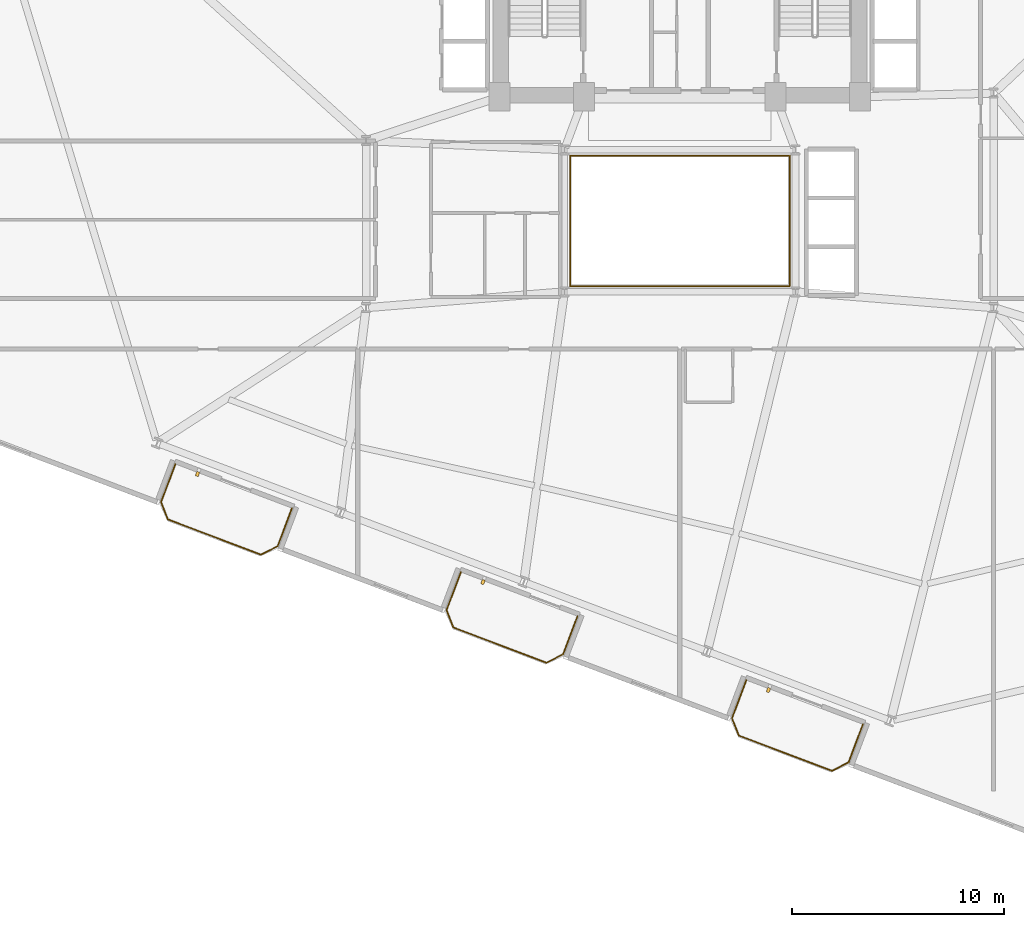
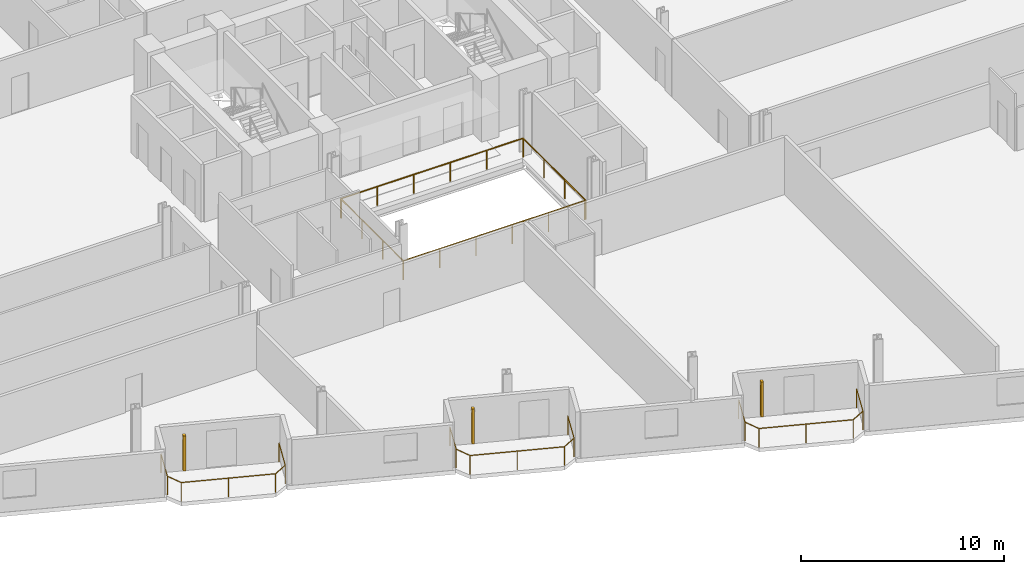
# One storey, part 22 of 24: 5 railings, 3 shading devices.
"""IFC4 building model written with IfcOpenShell, lengths in metres."""

from ifc_helpers import new_model, si_unit, direction, frame, origin, origin_2d, place, context, subcontext, project, spatial, rectangle, circle, extrude, source, transform, mapped, material, type_object, element, save


model = new_model("IFC4")

# Units and contexts
model_context = context("Model", 3, precision=1e-05, world=origin(), true_north=direction((0.0, 1.0)))
body_context = subcontext(model_context, "Body", "Model", "MODEL_VIEW")
ifc_project = project(units=[si_unit("LENGTHUNIT", "METRE"), si_unit("AREAUNIT", "SQUARE_METRE"), si_unit("VOLUMEUNIT", "CUBIC_METRE"), si_unit("PLANEANGLEUNIT", "RADIAN"), si_unit("MASSUNIT", "GRAM", prefix="KILO")], contexts=[model_context])

# Site, building, storey
site_placement = place(None, origin())
site = spatial("IfcSite", under=ifc_project, at=site_placement, CompositionType="ELEMENT")
building_placement = place(site_placement, origin())
building = spatial("IfcBuilding", under=site, at=building_placement, Name="Varnelok Gate Tower", CompositionType="ELEMENT")
storey_placement = place(building_placement, frame((0.0, 0.0, 98.39990234375)))
storey = spatial("IfcBuildingStorey", under=building, at=storey_placement, Name="L24", CompositionType="ELEMENT", Elevation=98.39990234375)

# Railings
ifc_material_1 = material(Name="Tempered Laminated Balustrade Glass", Category="glass")
railing_type_1 = type_object("IfcRailingType", Name="RL-ATR-GUARD1150", PredefinedType="GUARDRAIL", material=ifc_material_1)
railing_1_placement = place(storey_placement, frame((34.02001953125, 25.929931640625, 0.0)))
element("IfcRailing", 1, at=railing_1_placement, inside=storey, type_object=railing_type_1, Name="L24 Internal Atrium South-West Guardrail", PredefinedType="GUARDRAIL", context=body_context, shape_type="SweptSolid", body=[
    extrude(circle(Radius=0.02392578125, at=origin_2d()), frame((0.0, 0.0, 1.1259765625), z_axis=(0.0, -1.0, 0.0), x_axis=(1.0, 0.0, 0.0)), (0.0, 0.0, 1.0), 6.10986328125),
    extrude(circle(Radius=0.02392578125, at=origin_2d()), frame((0.0, -6.10986328125, 1.1259765625), z_axis=(1.0, 0.0, 0.0), x_axis=(0.0, 1.0, 0.0)), (0.0, 0.0, 1.0), 10.31005859375),
    extrude(circle(Radius=0.02099609375, at=origin_2d()), origin(), (0.0, 0.0, 1.0), 1.101806640625),
    extrude(circle(Radius=0.02099609375, at=origin_2d()), frame((0.0, -2.03662109375, 0.0)), (0.0, 0.0, 1.0), 1.101806640625),
    extrude(circle(Radius=0.02099609375, at=origin_2d()), frame((0.0, -4.0732421875, 0.0)), (0.0, 0.0, 1.0), 1.101806640625),
    extrude(circle(Radius=0.02099609375, at=origin_2d()), frame((0.0, -6.10986328125, 0.0)), (0.0, 0.0, 1.0), 1.101806640625),
    extrude(circle(Radius=0.02099609375, at=origin_2d()), frame((2.06201171875, -6.10986328125, 0.0)), (0.0, 0.0, 1.0), 1.101806640625),
    extrude(circle(Radius=0.02099609375, at=origin_2d()), frame((4.1240234375, -6.10986328125, 0.0)), (0.0, 0.0, 1.0), 1.101806640625),
    extrude(circle(Radius=0.02099609375, at=origin_2d()), frame((6.18603515625, -6.10986328125, 0.0)), (0.0, 0.0, 1.0), 1.101806640625),
    extrude(circle(Radius=0.02099609375, at=origin_2d()), frame((8.248046875, -6.10986328125, 0.0)), (0.0, 0.0, 1.0), 1.101806640625),
    extrude(circle(Radius=0.02099609375, at=origin_2d()), frame((10.31005859375, -6.10986328125, 0.0)), (0.0, 0.0, 1.0), 1.101806640625),
])
railing_2_placement = place(storey_placement, frame((44.3798828125, 19.820068359375, 0.0)))
element("IfcRailing", 2, at=railing_2_placement, inside=storey, type_object=railing_type_1, Name="L24 Internal Atrium North-East Guardrail", PredefinedType="GUARDRAIL", context=body_context, shape_type="SweptSolid", body=[
    extrude(circle(Radius=0.02392578125, at=origin_2d()), frame((0.0, 0.0, 1.1259765625), z_axis=(0.0, 1.0, 0.0), x_axis=(-1.0, 0.0, 0.0)), (0.0, 0.0, 1.0), 6.159912109375),
    extrude(circle(Radius=0.02392578125, at=origin_2d()), frame((0.0, 6.159912109375, 1.1259765625), z_axis=(-1.0, 0.0, 0.0), x_axis=(0.0, -1.0, 0.0)), (0.0, 0.0, 1.0), 10.35986328125),
    extrude(circle(Radius=0.02099609375, at=origin_2d()), origin(), (0.0, 0.0, 1.0), 1.101806640625),
    extrude(circle(Radius=0.02099609375, at=origin_2d()), frame((0.0, 2.05322265625, 0.0)), (0.0, 0.0, 1.0), 1.101806640625),
    extrude(circle(Radius=0.02099609375, at=origin_2d()), frame((0.0, 4.106689453125, 0.0)), (0.0, 0.0, 1.0), 1.101806640625),
    extrude(circle(Radius=0.02099609375, at=origin_2d()), frame((0.0, 6.159912109375, 0.0)), (0.0, 0.0, 1.0), 1.101806640625),
    extrude(circle(Radius=0.02099609375, at=origin_2d()), frame((-2.072021484375, 6.159912109375, 0.0)), (0.0, 0.0, 1.0), 1.101806640625),
    extrude(circle(Radius=0.02099609375, at=origin_2d()), frame((-4.14404296875, 6.159912109375, 0.0)), (0.0, 0.0, 1.0), 1.101806640625),
    extrude(circle(Radius=0.02099609375, at=origin_2d()), frame((-6.2158203125, 6.159912109375, 0.0)), (0.0, 0.0, 1.0), 1.101806640625),
    extrude(circle(Radius=0.02099609375, at=origin_2d()), frame((-8.287841796875, 6.159912109375, 0.0)), (0.0, 0.0, 1.0), 1.101806640625),
    extrude(circle(Radius=0.02099609375, at=origin_2d()), frame((-10.35986328125, 6.159912109375, 0.0)), (0.0, 0.0, 1.0), 1.101806640625),
])
ifc_material_2 = material(Name="Low-E Laminated Double Glazing IGU", Category="glass")
railing_type_2 = type_object("IfcRailingType", Name="RL-BALC-1150", PredefinedType="BALUSTRADE", material=ifc_material_2)
railing_3_placement = place(storey_placement, frame((15.40625, 11.42578125, 0.0)))
element("IfcRailing", 3, at=railing_3_placement, inside=storey, type_object=railing_type_2, Name="L24 South Terrace Balustrade 1", PredefinedType="BALUSTRADE", context=body_context, shape_type="SweptSolid", body=[
    extrude(circle(Radius=0.02392578125, at=origin_2d()), frame((0.0, 0.0, 1.1259765625), z_axis=(-0.354006333352, -0.935243025073, 0.0), x_axis=(0.935243025073, -0.354006333352, 0.0)), (0.0, 0.0, 1.0), 1.919921875),
    extrude(circle(Radius=0.02392578125, at=origin_2d()), frame((-0.6796875, -1.795654296875, 1.1259765625), z_axis=(0.366254584666, -0.930514685113, 0.0), x_axis=(0.930514685113, 0.366254584666, 0.0)), (0.0, 0.0, 1.0), 0.8779296875),
    extrude(circle(Radius=0.02392578125, at=origin_2d()), frame((-0.358154296875, -2.612548828125, 1.1259765625), z_axis=(0.935223045203, -0.354059113314, 0.0), x_axis=(0.354059113314, 0.935223045203, 0.0)), (0.0, 0.0, 1.0), 4.699951171875),
    extrude(circle(Radius=0.02392578125, at=origin_2d()), frame((4.037353515625, -4.276611328125, 1.1259765625), z_axis=(0.89078254773, 0.454429810487, 0.0), x_axis=(-0.454429810487, 0.89078254773, 0.0)), (0.0, 0.0, 1.0), 0.8779296875),
    extrude(circle(Radius=0.02392578125, at=origin_2d()), frame((4.8193359375, -3.877685546875, 1.1259765625), z_axis=(0.354117547856, 0.935200920819, 0.0), x_axis=(-0.935200920819, 0.354117547856, 0.0)), (0.0, 0.0, 1.0), 1.920166015625),
    extrude(circle(Radius=0.02099609375, at=origin_2d()), origin(), (0.0, 0.0, 1.0), 1.101806640625),
    extrude(circle(Radius=0.02099609375, at=origin_2d()), frame((-0.6796875, -1.795654296875, 0.0)), (0.0, 0.0, 1.0), 1.101806640625),
    extrude(circle(Radius=0.02099609375, at=origin_2d()), frame((-0.358154296875, -2.612548828125, 0.0)), (0.0, 0.0, 1.0), 1.101806640625),
    extrude(circle(Radius=0.02099609375, at=origin_2d()), frame((1.839599609375, -3.444580078125, 0.0)), (0.0, 0.0, 1.0), 1.101806640625),
    extrude(circle(Radius=0.02099609375, at=origin_2d()), frame((4.037353515625, -4.276611328125, 0.0)), (0.0, 0.0, 1.0), 1.101806640625),
    extrude(circle(Radius=0.02099609375, at=origin_2d()), frame((4.8193359375, -3.877685546875, 0.0)), (0.0, 0.0, 1.0), 1.101806640625),
    extrude(circle(Radius=0.02099609375, at=origin_2d()), frame((5.499267578125, -2.08203125, 0.0)), (0.0, 0.0, 1.0), 1.101806640625),
])
railing_4_placement = place(storey_placement, frame((28.87353515625, 6.3271484375, 0.0)))
element("IfcRailing", 4, at=railing_4_placement, inside=storey, type_object=railing_type_2, Name="L24 South Terrace Balustrade 2", PredefinedType="BALUSTRADE", context=body_context, shape_type="SweptSolid", body=[
    extrude(circle(Radius=0.02392578125, at=origin_2d()), frame((0.0, 0.0, 1.1259765625), z_axis=(-0.354117547856, -0.935200920819, 0.0), x_axis=(0.935200920819, -0.354117547856, 0.0)), (0.0, 0.0, 1.0), 1.920166015625),
    extrude(circle(Radius=0.02392578125, at=origin_2d()), frame((-0.679931640625, -1.795654296875, 1.1259765625), z_axis=(0.36659018357, -0.930382522036, 0.0), x_axis=(0.930382522036, 0.36659018357, 0.0)), (0.0, 0.0, 1.0), 0.877685546875),
    extrude(circle(Radius=0.02392578125, at=origin_2d()), frame((-0.358154296875, -2.6123046875, 1.1259765625), z_axis=(0.935223045203, -0.354059113314, 0.0), x_axis=(0.354059113314, 0.935223045203, 0.0)), (0.0, 0.0, 1.0), 4.699951171875),
    extrude(circle(Radius=0.02392578125, at=origin_2d()), frame((4.037353515625, -4.2763671875, 1.1259765625), z_axis=(0.89078254773, 0.454429810487, 0.0), x_axis=(-0.454429810487, 0.89078254773, 0.0)), (0.0, 0.0, 1.0), 0.8779296875),
    extrude(circle(Radius=0.02392578125, at=origin_2d()), frame((4.8193359375, -3.87744140625, 1.1259765625), z_axis=(0.354006333352, 0.935243025073, 0.0), x_axis=(-0.935243025073, 0.354006333352, 0.0)), (0.0, 0.0, 1.0), 1.919921875),
    extrude(circle(Radius=0.02099609375, at=origin_2d()), origin(), (0.0, 0.0, 1.0), 1.101806640625),
    extrude(circle(Radius=0.02099609375, at=origin_2d()), frame((-0.679931640625, -1.795654296875, 0.0)), (0.0, 0.0, 1.0), 1.101806640625),
    extrude(circle(Radius=0.02099609375, at=origin_2d()), frame((-0.358154296875, -2.6123046875, 0.0)), (0.0, 0.0, 1.0), 1.101806640625),
    extrude(circle(Radius=0.02099609375, at=origin_2d()), frame((1.839599609375, -3.4443359375, 0.0)), (0.0, 0.0, 1.0), 1.101806640625),
    extrude(circle(Radius=0.02099609375, at=origin_2d()), frame((4.037353515625, -4.2763671875, 0.0)), (0.0, 0.0, 1.0), 1.101806640625),
    extrude(circle(Radius=0.02099609375, at=origin_2d()), frame((4.8193359375, -3.87744140625, 0.0)), (0.0, 0.0, 1.0), 1.101806640625),
    extrude(circle(Radius=0.02099609375, at=origin_2d()), frame((5.4990234375, -2.081787109375, 0.0)), (0.0, 0.0, 1.0), 1.101806640625),
])
railing_5_placement = place(storey_placement, frame((42.3408203125, 1.228759765625, 0.0)))
element("IfcRailing", 5, at=railing_5_placement, inside=storey, type_object=railing_type_2, Name="L24 South Terrace Balustrade 3", PredefinedType="BALUSTRADE", context=body_context, shape_type="SweptSolid", body=[
    extrude(circle(Radius=0.02392578125, at=origin_2d()), frame((0.0, 0.0, 1.1259765625), z_axis=(-0.354117547856, -0.935200920819, 0.0), x_axis=(0.935200920819, -0.354117547856, 0.0)), (0.0, 0.0, 1.0), 1.920166015625),
    extrude(circle(Radius=0.02392578125, at=origin_2d()), frame((-0.679931640625, -1.795654296875, 1.1259765625), z_axis=(0.366254584666, -0.930514685113, 0.0), x_axis=(0.930514685113, 0.366254584666, 0.0)), (0.0, 0.0, 1.0), 0.8779296875),
    extrude(circle(Radius=0.02392578125, at=origin_2d()), frame((-0.3583984375, -2.612548828125, 1.1259765625), z_axis=(0.935229556479, -0.354041913744, 0.0), x_axis=(0.354041913744, 0.935229556479, 0.0)), (0.0, 0.0, 1.0), 4.7001953125),
    extrude(circle(Radius=0.02392578125, at=origin_2d()), frame((4.037353515625, -4.276611328125, 1.1259765625), z_axis=(0.890612455555, 0.454763074589, 0.0), x_axis=(-0.454763074589, 0.890612455555, 0.0)), (0.0, 0.0, 1.0), 0.877685546875),
    extrude(circle(Radius=0.02392578125, at=origin_2d()), frame((4.819091796875, -3.87744140625, 1.1259765625), z_axis=(0.354159661475, 0.935184973245, 0.0), x_axis=(-0.935184973245, 0.354159661475, 0.0)), (0.0, 0.0, 1.0), 1.919921875),
    extrude(circle(Radius=0.02099609375, at=origin_2d()), origin(), (0.0, 0.0, 1.0), 1.101806640625),
    extrude(circle(Radius=0.02099609375, at=origin_2d()), frame((-0.679931640625, -1.795654296875, 0.0)), (0.0, 0.0, 1.0), 1.101806640625),
    extrude(circle(Radius=0.02099609375, at=origin_2d()), frame((-0.3583984375, -2.612548828125, 0.0)), (0.0, 0.0, 1.0), 1.101806640625),
    extrude(circle(Radius=0.02099609375, at=origin_2d()), frame((1.83935546875, -3.444580078125, 0.0)), (0.0, 0.0, 1.0), 1.101806640625),
    extrude(circle(Radius=0.02099609375, at=origin_2d()), frame((4.037353515625, -4.276611328125, 0.0)), (0.0, 0.0, 1.0), 1.101806640625),
    extrude(circle(Radius=0.02099609375, at=origin_2d()), frame((4.819091796875, -3.87744140625, 0.0)), (0.0, 0.0, 1.0), 1.101806640625),
    extrude(circle(Radius=0.02099609375, at=origin_2d()), frame((5.4990234375, -2.08203125, 0.0)), (0.0, 0.0, 1.0), 1.101806640625),
])

# Shading devices
ifc_material_3 = material(Name="Glazed Architectural Terracotta Ceramic", Category="masonry")
shading_device_type = type_object("IfcShadingDeviceType", Name="SHD-TERRA-BAGUETTE", PredefinedType="USERDEFINED", material=ifc_material_3)
shared_shape = source(origin(), body_context, "Body", "SweptSolid", [
    extrude(rectangle(XDim=0.139892578125, YDim=0.219970703125, at=origin_2d()), origin(), (0.0, 0.0, 1.0), 2.10009765625),
])
for number, where, z_axis, x_axis, name in (
    (6, (16.44775390625, 10.95654296875, 0.10009765625), (0.0, 0.0, 1.0), (0.935221751401, -0.354062530786, 0.0), "L24 Terracotta Ceramic Baguette Sunscreen 1.1"),
    (7, (29.914794921875, 5.858154296875, 0.10009765625), (0.0, 0.0, 1.0), (0.935221751401, -0.354062530786, 0.0), "L24 Terracotta Ceramic Baguette Sunscreen 2.1"),
    (8, (43.382080078125, 0.759521484375, 0.10009765625), (0.0, 0.0, 1.0), (0.935221751401, -0.354062530786, 0.0), "L24 Terracotta Ceramic Baguette Sunscreen 3.1"),
):
    element("IfcShadingDevice", number, at=place(storey_placement, frame(where, z_axis=z_axis, x_axis=x_axis)), inside=storey, type_object=shading_device_type, Name=name, ObjectType="BAGUETTE", PredefinedType="USERDEFINED", context=body_context, shape_type="MappedRepresentation", body=[
        mapped(shared_shape, transform((0.0, 0.0, 0.0), scale=1.0)),
    ])

save(model, "model.ifc")
